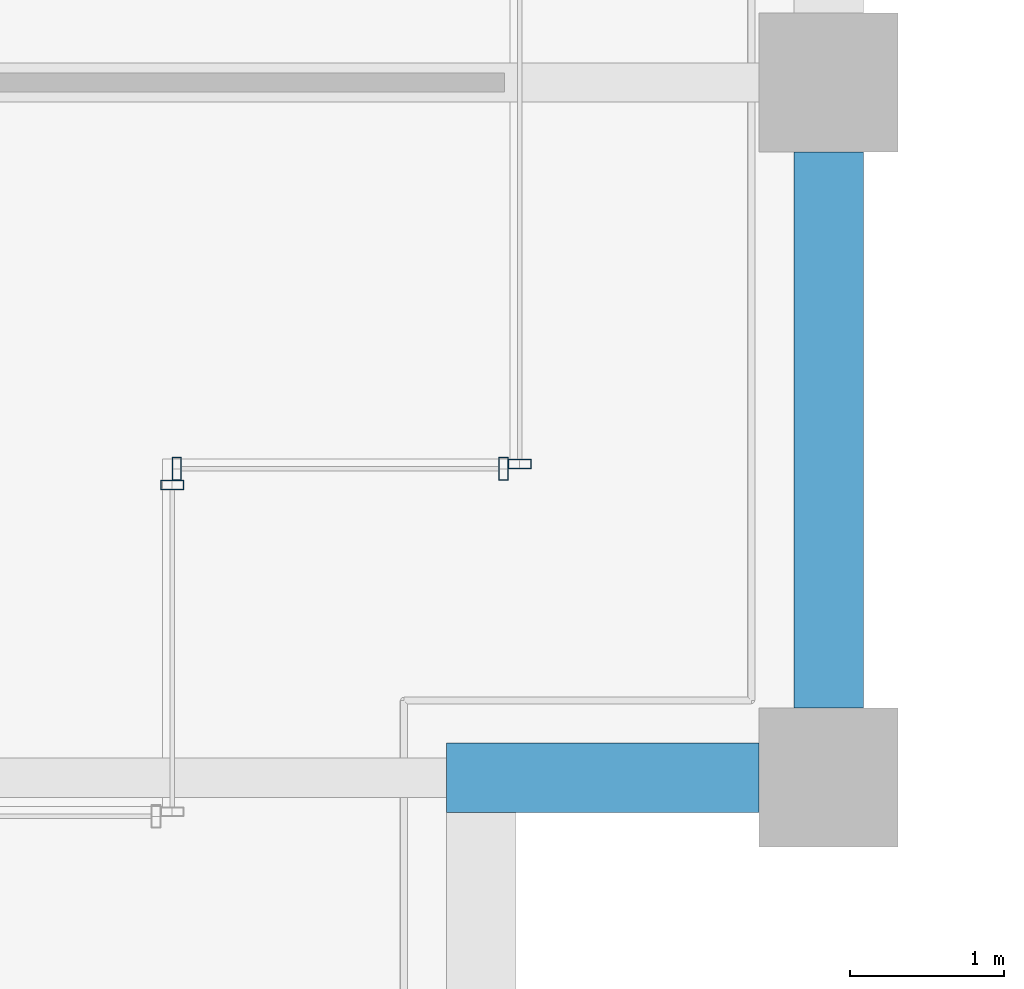
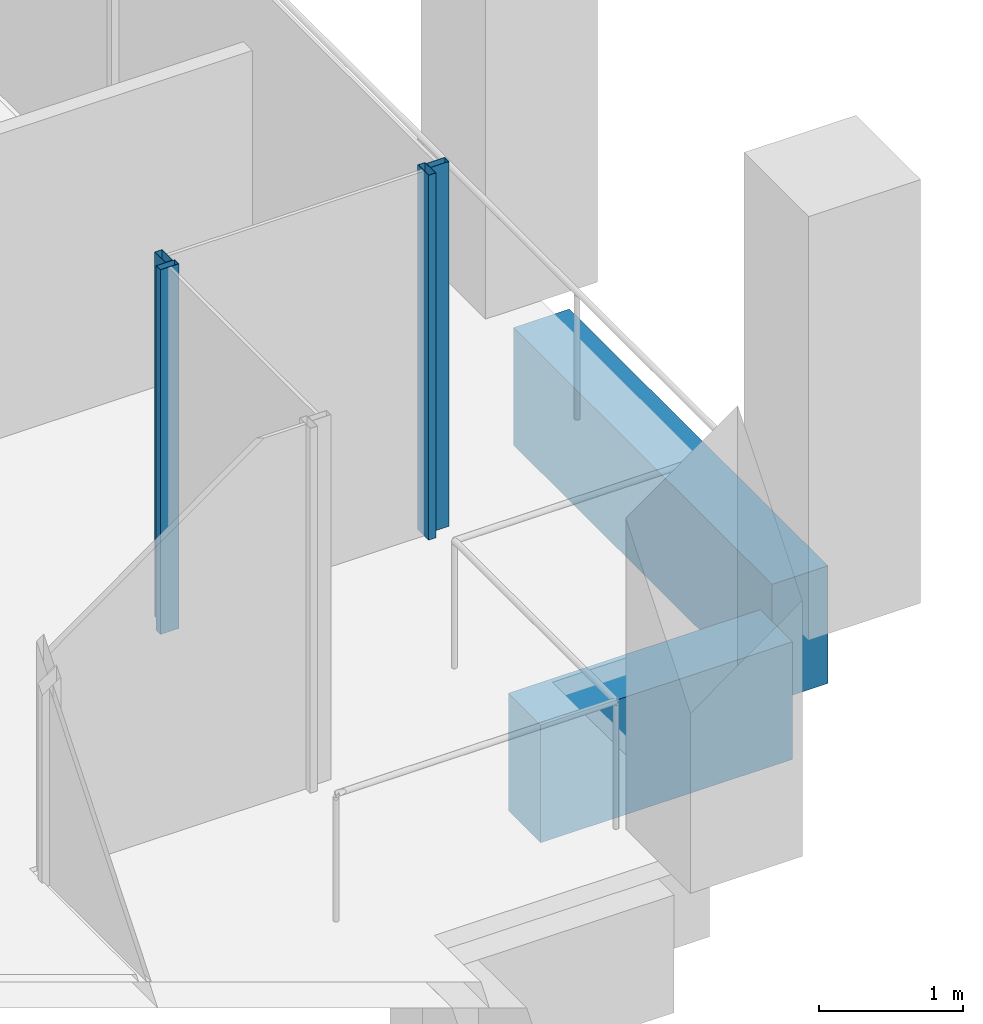
# One storey, part 13 of 40: 4 members, 2 beams, 3 elements without a shape of their own.
"""IFC4 building model written with IfcOpenShell, lengths in metres."""

from ifc_helpers import new_model, si_unit, direction, frame, origin, origin_2d, place, context, subcontext, project, spatial, rectangle, hollow_rectangle, extrude, material, material_profile, profile_set, type_object, element, aggregate, save


model = new_model("IFC4")

# Units and contexts
model_context = context("Model", 3, precision=1e-05, world=origin(), true_north=direction((0.0, 1.0)))
body_context = subcontext(model_context, "Body", "Model", "MODEL_VIEW")
ifc_project = project(units=[si_unit("LENGTHUNIT", "METRE"), si_unit("AREAUNIT", "SQUARE_METRE"), si_unit("VOLUMEUNIT", "CUBIC_METRE"), si_unit("PLANEANGLEUNIT", "RADIAN"), si_unit("MASSUNIT", "GRAM", prefix="KILO")], contexts=[model_context])

# Site, building, storey
site_placement = place(None, origin())
site = spatial("IfcSite", under=ifc_project, at=site_placement, CompositionType="ELEMENT")
building_placement = place(site_placement, origin())
building = spatial("IfcBuilding", under=site, at=building_placement, Name="Altepetl Exchange Towers", CompositionType="ELEMENT")
storey_placement = place(building_placement, frame((0.0, 0.0, 187.0)))
storey = spatial("IfcBuildingStorey", under=building, at=storey_placement, Name="L47", CompositionType="ELEMENT", Elevation=187.0)

# Curtain wall, member
ifc_material_1 = material(Name="Aluminium 6063-T6 glazing", Category="aluminium")
curtain_wall_type = type_object("IfcCurtainWallType", Name="Loggia glazing system", PredefinedType="NOTDEFINED", material=ifc_material_1)
curtain_wall_1_placement = place(storey_placement, origin())
curtain_wall_1 = element("IfcCurtainWall", 1, at=curtain_wall_1_placement, inside=storey, type_object=curtain_wall_type, Name="CW1 run", PredefinedType="NOTDEFINED")
ifc_material_2 = material(Name="Aluminium 6063-T6", Category="aluminium")
ifc_material_profile_1 = material_profile(ifc_material_2, hollow_rectangle(XDim=0.06005859375, YDim=0.14990234375, WallThickness=0.0029296875, at=origin_2d()), Name="Mullion 60x150 aluminium")
ifc_profile_set_1 = profile_set([ifc_material_profile_1], Name="Aluminium 6063-T6")
member_type = type_object("IfcMemberType", Name="Mullion 60x150 aluminium", PredefinedType="MULLION", material=ifc_profile_set_1)
member_1_placement = place(storey_placement, frame((67.75, 33.39501953125, 0.0), z_axis=(0.0, 0.0, 1.0), x_axis=(0.0, 1.0, 0.0)))
member_1 = element("IfcMember", 2, at=member_1_placement, type_object=member_type, Name="MU1 mullion", PredefinedType="MULLION", context=body_context, shape_type="SweptSolid", body=[
    extrude(hollow_rectangle(XDim=0.06005859375, YDim=0.14990234375, WallThickness=0.0029296875, at=origin_2d()), origin(), (0.0, 0.0, 1.0), 3.10009765625),
])
aggregate(curtain_wall_1, [member_1])

# Curtain wall, members
curtain_wall_2_placement = place(storey_placement, origin())
curtain_wall_2 = element("IfcCurtainWall", 3, at=curtain_wall_2_placement, inside=storey, type_object=curtain_wall_type, Name="CW1 run", PredefinedType="NOTDEFINED")
member_2_placement = place(storey_placement, frame((67.780029296875, 33.5, 0.0)))
member_2 = element("IfcMember", 4, at=member_2_placement, type_object=member_type, Name="MU1 mullion", PredefinedType="MULLION", context=body_context, shape_type="SweptSolid", body=[
    extrude(hollow_rectangle(XDim=0.06005859375, YDim=0.14990234375, WallThickness=0.0029296875, at=origin_2d()), origin(), (0.0, 0.0, 1.0), 3.10009765625),
])
member_3_placement = place(storey_placement, frame((69.89501953125, 33.5, 0.0)))
member_3 = element("IfcMember", 5, at=member_3_placement, type_object=member_type, Name="MU1 mullion", PredefinedType="MULLION", context=body_context, shape_type="SweptSolid", body=[
    extrude(hollow_rectangle(XDim=0.06005859375, YDim=0.14990234375, WallThickness=0.0029296875, at=origin_2d()), origin(), (0.0, 0.0, 1.0), 3.10009765625),
])
aggregate(curtain_wall_2, [member_2, member_3])

# Curtain wall, member
curtain_wall_3_placement = place(storey_placement, origin())
curtain_wall_3 = element("IfcCurtainWall", 6, at=curtain_wall_3_placement, inside=storey, type_object=curtain_wall_type, Name="CW1 run", PredefinedType="NOTDEFINED")
member_4_placement = place(storey_placement, frame((70.0, 33.530029296875, 0.0), z_axis=(0.0, 0.0, 1.0), x_axis=(0.0, 1.0, 0.0)))
member_4 = element("IfcMember", 7, at=member_4_placement, type_object=member_type, Name="MU1 mullion", PredefinedType="MULLION", context=body_context, shape_type="SweptSolid", body=[
    extrude(hollow_rectangle(XDim=0.06005859375, YDim=0.14990234375, WallThickness=0.0029296875, at=origin_2d()), origin(), (0.0, 0.0, 1.0), 3.10009765625),
])
aggregate(curtain_wall_3, [member_4])

# Beams
ifc_material_3 = material(Name="Concrete C50/60 precast with cantera amarilla facing", Category="concrete")
ifc_material_profile_2 = material_profile(ifc_material_3, rectangle(XDim=0.449951171875, YDim=1.0, at=origin_2d()), Name="450 x 1000")
ifc_profile_set_2 = profile_set([ifc_material_profile_2], Name="Concrete C50/60 precast with cantera amarilla facing")
beam_type = type_object("IfcBeamType", Name="Spandrel beam 450x1000 cantera amarilla", PredefinedType="SPANDREL", material=ifc_profile_set_2)
beam_1_placement = place(storey_placement, frame((69.52490234375, 31.5, -0.64990234375), z_axis=(1.0, 0.0, 0.0), x_axis=(0.0, 1.0, 0.0)))
element("IfcBeam", 8, at=beam_1_placement, inside=storey, type_object=beam_type, Name="sp:A:L47:011", PredefinedType="SPANDREL", context=body_context, shape_type="SweptSolid", body=[
    extrude(rectangle(XDim=0.449951171875, YDim=1.0, at=origin_2d()), origin(), (0.0, 0.0, 1.0), 2.025146484375),
])
beam_2_placement = place(storey_placement, frame((72.0, 31.949951171875, -0.64990234375), z_axis=(0.0, 1.0, 0.0), x_axis=(-1.0, 0.0, 0.0)))
element("IfcBeam", 9, at=beam_2_placement, inside=storey, type_object=beam_type, Name="sp:A:L47:012", PredefinedType="SPANDREL", context=body_context, shape_type="SweptSolid", body=[
    extrude(rectangle(XDim=0.449951171875, YDim=1.0, at=origin_2d()), origin(), (0.0, 0.0, 1.0), 3.60009765625),
])

save(model, "model.ifc")
